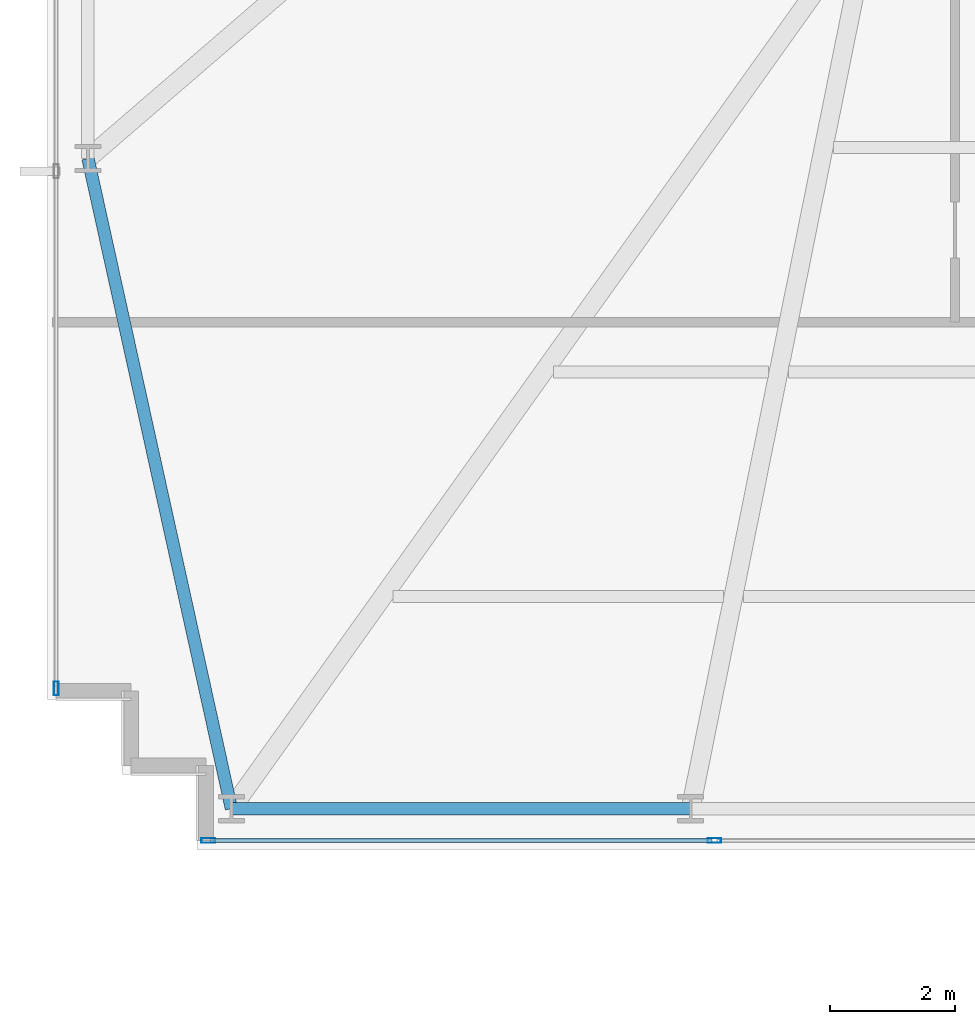
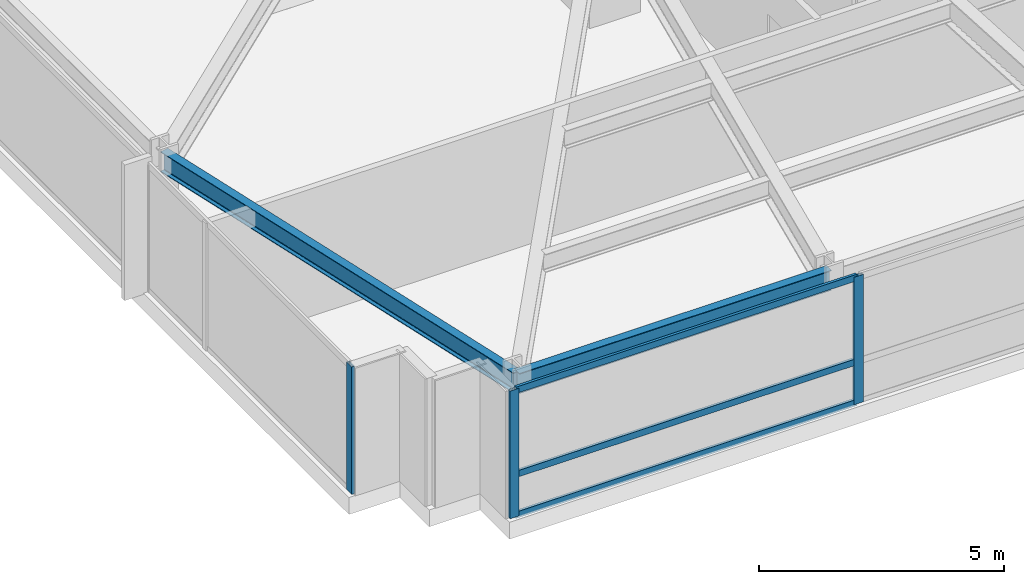
# One storey, part 2 of 31: 6 members, 2 beams, 2 elements without a shape of their own.
"""IFC4 building model written with IfcOpenShell, lengths in metres."""

from ifc_helpers import new_model, si_unit, direction, frame, origin, origin_2d, place, context, subcontext, project, spatial, hollow_rectangle, i_section, extrude, material, material_profile, profile_set, type_object, element, aggregate, save


model = new_model("IFC4")

# Units and contexts
model_context = context("Model", 3, precision=1e-05, world=origin(), true_north=direction((0.0, 1.0)))
body_context = subcontext(model_context, "Body", "Model", "MODEL_VIEW")
ifc_project = project(units=[si_unit("LENGTHUNIT", "METRE"), si_unit("AREAUNIT", "SQUARE_METRE"), si_unit("VOLUMEUNIT", "CUBIC_METRE"), si_unit("PLANEANGLEUNIT", "RADIAN"), si_unit("MASSUNIT", "GRAM", prefix="KILO")], contexts=[model_context])

# Site, building, storey
site_placement = place(None, origin())
site = spatial("IfcSite", under=ifc_project, at=site_placement, CompositionType="ELEMENT")
building_placement = place(site_placement, origin())
building = spatial("IfcBuilding", under=site, at=building_placement, Name="Yelkora Congress Tower", CompositionType="ELEMENT")
storey_placement = place(building_placement, frame((0.0, 0.0, 30.39990234375)))
storey = spatial("IfcBuildingStorey", under=building, at=storey_placement, Name="L06", CompositionType="ELEMENT", Elevation=30.39990234375)

# Beams
ifc_material_1 = material(Name="Steel S355J2", Category="steel")
ifc_material_profile_1 = material_profile(ifc_material_1, i_section(OverallWidth=0.199951171875, OverallDepth=0.5, WebThickness=0.01025390625, FlangeThickness=0.01611328125, FilletRadius=0.02099609375, at=origin_2d()), Name="IPE 500")
ifc_profile_set_1 = profile_set([ifc_material_profile_1], Name="Steel S355J2")
beam_type = type_object("IfcBeamType", Name="BM-SPAN-IPE500", PredefinedType="SPANDREL", material=ifc_profile_set_1)
beam_1_placement = place(storey_placement, frame((6.64990234375, 21.27490234375, 2.93017578125), z_axis=(0.215450706142, -0.976514717361, 0.0), x_axis=(0.976514717361, 0.215450706142, 0.0)))
element("IfcBeam", 1, at=beam_1_placement, inside=storey, type_object=beam_type, Name="L06 Perimeter Beam 1", PredefinedType="SPANDREL", context=body_context, shape_type="SweptSolid", body=[
    extrude(i_section(OverallWidth=0.199951171875, OverallDepth=0.5, WebThickness=0.01025390625, FlangeThickness=0.01611328125, FilletRadius=0.02099609375, at=origin_2d()), origin(), (0.0, 0.0, 1.0), 10.675537109375),
])
beam_2_placement = place(storey_placement, frame((8.949951171875, 10.85009765625, 2.93017578125), z_axis=(1.0, 0.0, 0.0), x_axis=(0.0, 1.0, 0.0)))
element("IfcBeam", 2, at=beam_2_placement, inside=storey, type_object=beam_type, Name="L06 Perimeter Beam 2", PredefinedType="SPANDREL", context=body_context, shape_type="SweptSolid", body=[
    extrude(i_section(OverallWidth=0.199951171875, OverallDepth=0.5, WebThickness=0.01025390625, FlangeThickness=0.01611328125, FilletRadius=0.02099609375, at=origin_2d()), origin(), (0.0, 0.0, 1.0), 7.362548828125),
])

# Curtain wall, member
ifc_material_2 = material(Name="Anodised aluminium and insulated glass", Category="aluminium")
curtain_wall_type = type_object("IfcCurtainWallType", Name="CW-SYS-B1", PredefinedType="NOTDEFINED", material=ifc_material_2)
curtain_wall_1_placement = place(storey_placement, origin())
curtain_wall_1 = element("IfcCurtainWall", 3, at=curtain_wall_1_placement, inside=storey, type_object=curtain_wall_type, Name="L06 Unitised Curtain Wall 5", PredefinedType="NOTDEFINED")
ifc_material_3 = material(Name="Anodised aluminium 6063-T6", Category="aluminium")
ifc_material_profile_2 = material_profile(ifc_material_3, hollow_rectangle(XDim=0.074951171875, YDim=0.219970703125, WallThickness=0.0048828125, at=origin_2d()), Name="ALU 75x220x5")
ifc_profile_set_2 = profile_set([ifc_material_profile_2], Name="Anodised aluminium 6063-T6")
member_type_1 = type_object("IfcMemberType", Name="MEM-ML-B1", PredefinedType="MULLION", material=ifc_profile_set_2)
member_1_placement = place(storey_placement, frame((6.139892578125, 12.777587890625, 0.0), z_axis=(0.0, 0.0, 1.0), x_axis=(-1.0, 0.0, 0.0)))
member_1 = element("IfcMember", 4, at=member_1_placement, type_object=member_type_1, Name="CW-B1 mullion 1", PredefinedType="MULLION", context=body_context, shape_type="SweptSolid", body=[
    extrude(hollow_rectangle(XDim=0.074951171875, YDim=0.219970703125, WallThickness=0.0048828125, at=origin_2d()), origin(), (0.0, 0.0, 1.0), 3.18017578125),
])
aggregate(curtain_wall_1, [member_1])

# Curtain wall, members
curtain_wall_2_placement = place(storey_placement, origin())
curtain_wall_2 = element("IfcCurtainWall", 5, at=curtain_wall_2_placement, inside=storey, type_object=curtain_wall_type, Name="L06 South-West Curtain Wall", PredefinedType="NOTDEFINED")
member_2_placement = place(storey_placement, frame((8.577392578125, 10.340087890625, 0.0), z_axis=(0.0, 0.0, 1.0), x_axis=(0.0, 1.0, 0.0)))
member_2 = element("IfcMember", 6, at=member_2_placement, type_object=member_type_1, Name="CW-B1 mullion 1", PredefinedType="MULLION", context=body_context, shape_type="SweptSolid", body=[
    extrude(hollow_rectangle(XDim=0.074951171875, YDim=0.219970703125, WallThickness=0.0048828125, at=origin_2d()), origin(), (0.0, 0.0, 1.0), 3.18017578125),
])
member_3_placement = place(storey_placement, frame((16.693359375, 10.340087890625, 0.0), z_axis=(0.0, 0.0, 1.0), x_axis=(0.0, 1.0, 0.0)))
member_3 = element("IfcMember", 7, at=member_3_placement, type_object=member_type_1, Name="CW-B1 mullion 2", PredefinedType="MULLION", context=body_context, shape_type="SweptSolid", body=[
    extrude(hollow_rectangle(XDim=0.074951171875, YDim=0.219970703125, WallThickness=0.0048828125, at=origin_2d()), origin(), (0.0, 0.0, 1.0), 3.18017578125),
])
ifc_material_profile_3 = material_profile(ifc_material_3, hollow_rectangle(XDim=0.06494140625, YDim=0.159912109375, WallThickness=0.00390625, at=origin_2d()), Name="ALU 65x160x4")
ifc_profile_set_3 = profile_set([ifc_material_profile_3], Name="Anodised aluminium 6063-T6")
member_type_2 = type_object("IfcMemberType", Name="MEM-TR-B1", PredefinedType="USERDEFINED", material=ifc_profile_set_3)
member_4_placement = place(storey_placement, frame((8.614990234375, 10.340087890625, 0.03271484375), z_axis=(1.0, 0.0, 0.0), x_axis=(0.0, 1.0, 0.0)))
member_4 = element("IfcMember", 8, at=member_4_placement, type_object=member_type_2, Name="CW-B1 transom 1.1", ObjectType="TRANSOM", PredefinedType="USERDEFINED", context=body_context, shape_type="SweptSolid", body=[
    extrude(hollow_rectangle(XDim=0.06494140625, YDim=0.159912109375, WallThickness=0.00390625, at=origin_2d()), origin(), (0.0, 0.0, 1.0), 8.040771484375),
])
member_5_placement = place(storey_placement, frame((8.614990234375, 10.340087890625, 1.050048828125), z_axis=(1.0, 0.0, 0.0), x_axis=(0.0, 1.0, 0.0)))
member_5 = element("IfcMember", 9, at=member_5_placement, type_object=member_type_2, Name="CW-B1 transom 1.2", ObjectType="TRANSOM", PredefinedType="USERDEFINED", context=body_context, shape_type="SweptSolid", body=[
    extrude(hollow_rectangle(XDim=0.06494140625, YDim=0.159912109375, WallThickness=0.00390625, at=origin_2d()), origin(), (0.0, 0.0, 1.0), 8.040771484375),
])
member_6_placement = place(storey_placement, frame((8.614990234375, 10.340087890625, 3.147705078125), z_axis=(1.0, 0.0, 0.0), x_axis=(0.0, 1.0, 0.0)))
member_6 = element("IfcMember", 10, at=member_6_placement, type_object=member_type_2, Name="CW-B1 transom 1.3", ObjectType="TRANSOM", PredefinedType="USERDEFINED", context=body_context, shape_type="SweptSolid", body=[
    extrude(hollow_rectangle(XDim=0.06494140625, YDim=0.159912109375, WallThickness=0.00390625, at=origin_2d()), origin(), (0.0, 0.0, 1.0), 8.040771484375),
])
aggregate(curtain_wall_2, [member_2, member_3, member_4, member_5, member_6])

save(model, "model.ifc")
